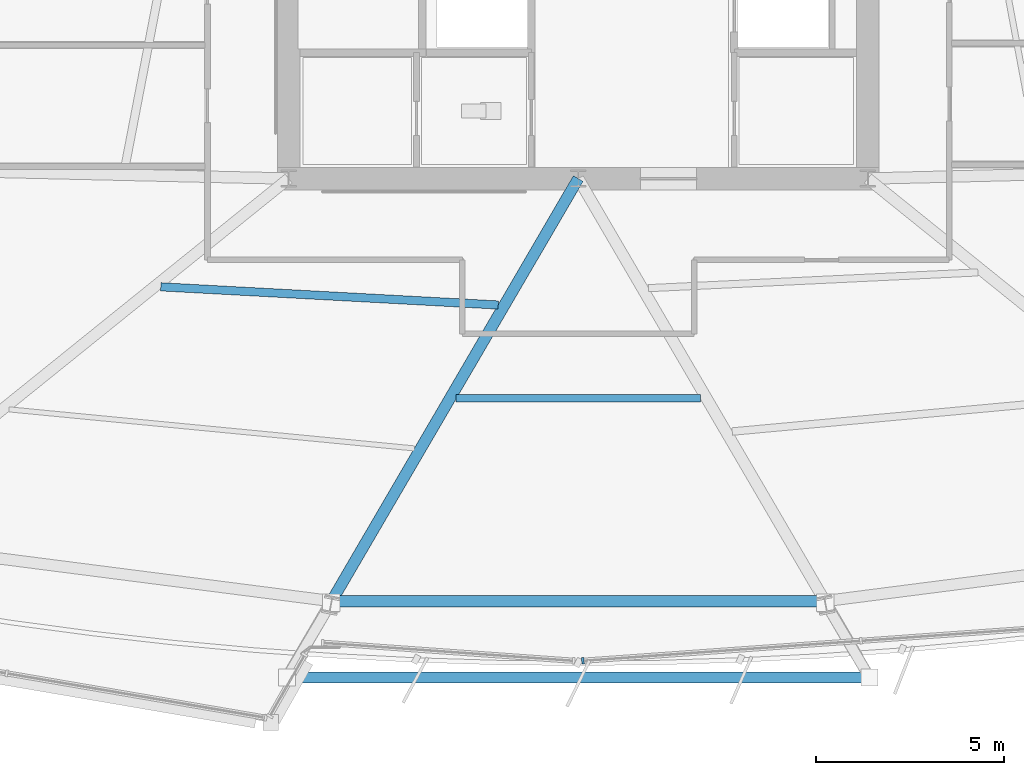
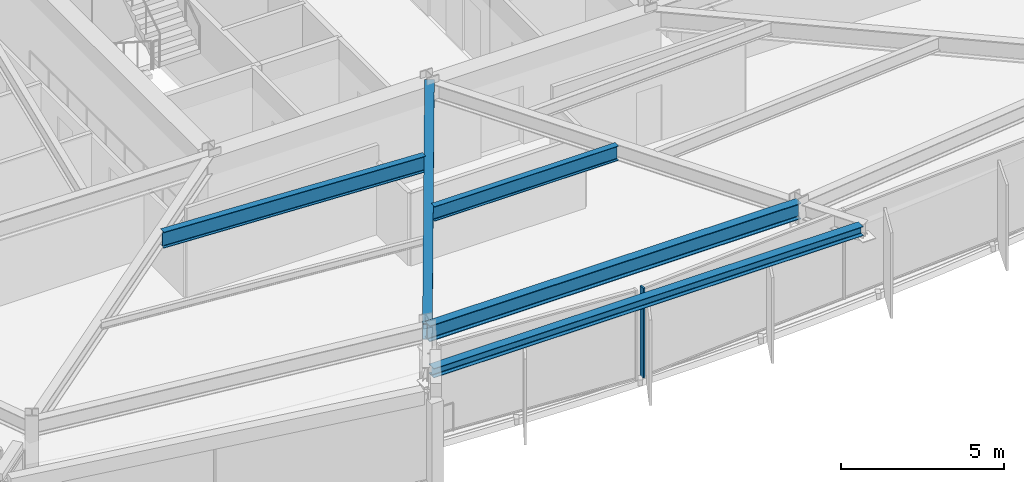
# One storey, part 3 of 17: 5 beams, 1 member, 1 element without a shape of its own.
"""IFC4 building model written with IfcOpenShell, lengths in metres."""

from ifc_helpers import new_model, si_unit, direction, frame, origin, origin_2d, place, context, subcontext, project, spatial, rectangle, i_section, extrude, material, material_profile, profile_set, type_object, element, aggregate, save


model = new_model("IFC4")

# Units and contexts
model_context = context("Model", 3, precision=1e-05, world=origin(), true_north=direction((0.0, 1.0)))
body_context = subcontext(model_context, "Body", "Model", "MODEL_VIEW")
ifc_project = project(units=[si_unit("LENGTHUNIT", "METRE"), si_unit("AREAUNIT", "SQUARE_METRE"), si_unit("VOLUMEUNIT", "CUBIC_METRE"), si_unit("PLANEANGLEUNIT", "RADIAN"), si_unit("MASSUNIT", "GRAM", prefix="KILO")], contexts=[model_context])

# Site, building, storey
site_placement = place(None, origin())
site = spatial("IfcSite", under=ifc_project, at=site_placement, CompositionType="ELEMENT")
building_placement = place(site_placement, origin())
building = spatial("IfcBuilding", under=site, at=building_placement, Name="Savorim Split Tower", CompositionType="ELEMENT")
storey_placement = place(building_placement, frame((0.0, 0.0, 62.39990234375)))
storey = spatial("IfcBuildingStorey", under=building, at=storey_placement, Name="L16", CompositionType="ELEMENT", Elevation=62.39990234375)

# Beams
ifc_material_1 = material(Name="Steel S355", Category="steel")
ifc_material_profile_1 = material_profile(ifc_material_1, i_section(OverallWidth=0.2099609375, OverallDepth=0.550048828125, WebThickness=0.010986328125, FlangeThickness=0.01708984375, FilletRadius=0.02392578125, at=origin_2d()), Name="IPE 550")
ifc_profile_set_1 = profile_set([ifc_material_profile_1], Name="Steel S355")
beam_type_1 = type_object("IfcBeamType", Name="BM-JST-IPE550", PredefinedType="JOIST", material=ifc_profile_set_1)
beam_1_placement = place(storey_placement, frame((-3.250244140625, -15.2421875, 3.0751953125), z_axis=(1.0, 0.0, 0.0), x_axis=(0.0, 1.0, 0.0)))
element("IfcBeam", 1, at=beam_1_placement, inside=storey, type_object=beam_type_1, Name="L16 Secondary Floor Joist JS-03", PredefinedType="JOIST", context=body_context, shape_type="SweptSolid", body=[
    extrude(i_section(OverallWidth=0.2099609375, OverallDepth=0.550048828125, WebThickness=0.010986328125, FlangeThickness=0.01708984375, FilletRadius=0.02392578125, at=origin_2d()), origin(), (0.0, 0.0, 1.0), 6.50048828125),
])
ifc_material_profile_2 = material_profile(ifc_material_1, i_section(OverallWidth=0.219970703125, OverallDepth=0.60009765625, WebThickness=0.011962890625, FlangeThickness=0.01904296875, FilletRadius=0.02392578125, at=origin_2d()), Name="IPE 600")
ifc_profile_set_2 = profile_set([ifc_material_profile_2], Name="Steel S355")
beam_type_2 = type_object("IfcBeamType", Name="BM-JST-IPE600", PredefinedType="JOIST", material=ifc_profile_set_2)
beam_2_placement = place(storey_placement, frame((-11.1005859375, -12.278076171875, 3.050048828125), z_axis=(0.998549230029, -0.053846403861, 0.0), x_axis=(0.053846403861, 0.998549230029, 0.0)))
element("IfcBeam", 2, at=beam_2_placement, inside=storey, type_object=beam_type_2, Name="L16 Secondary Floor Joist JS-02", PredefinedType="JOIST", context=body_context, shape_type="SweptSolid", body=[
    extrude(i_section(OverallWidth=0.219970703125, OverallDepth=0.60009765625, WebThickness=0.011962890625, FlangeThickness=0.01904296875, FilletRadius=0.02392578125, at=origin_2d()), origin(), (0.0, 0.0, 1.0), 8.986328125),
])
ifc_material_profile_3 = material_profile(ifc_material_1, i_section(OverallWidth=0.300048828125, OverallDepth=0.60009765625, WebThickness=0.015380859375, FlangeThickness=0.030029296875, FilletRadius=0.027099609375, at=origin_2d()), Name="HEB 600")
ifc_profile_set_3 = profile_set([ifc_material_profile_3], Name="Steel S355")
beam_type_3 = type_object("IfcBeamType", Name="BM-PRI-HEB600", PredefinedType="BEAM", material=ifc_profile_set_3)
beam_3_placement = place(storey_placement, frame((-6.55810546875, -20.63525390625, 3.050048828125), z_axis=(0.504109041078, 0.863640014534, 0.0), x_axis=(-0.863640014534, 0.504109041078, 0.0)))
element("IfcBeam", 3, at=beam_3_placement, inside=storey, type_object=beam_type_3, Name="L16 Primary Floor Girder RG-02", PredefinedType="BEAM", context=body_context, shape_type="SweptSolid", body=[
    extrude(i_section(OverallWidth=0.300048828125, OverallDepth=0.60009765625, WebThickness=0.015380859375, FlangeThickness=0.030029296875, FilletRadius=0.027099609375, at=origin_2d()), origin(), (0.0, 0.0, 1.0), 13.00927734375),
])
ifc_material_profile_4 = material_profile(ifc_material_1, i_section(OverallWidth=0.300048828125, OverallDepth=0.35009765625, WebThickness=0.010009765625, FlangeThickness=0.017578125, FilletRadius=0.027099609375, at=origin_2d()), Name="HEA 360")
ifc_profile_set_4 = profile_set([ifc_material_profile_4], Name="Steel S355")
beam_type_4 = type_object("IfcBeamType", Name="BM-SPN-HEA360", PredefinedType="SPANDREL", material=ifc_profile_set_4)
beam_4_placement = place(storey_placement, frame((-7.582763671875, -22.664794921875, 3.175048828125), z_axis=(1.0, 0.0, 0.0), x_axis=(0.0, 1.0, 0.0)))
element("IfcBeam", 4, at=beam_4_placement, inside=storey, type_object=beam_type_4, Name="L16 Cantilevered Lounge Front Edge Beam", PredefinedType="SPANDREL", context=body_context, shape_type="SweptSolid", body=[
    extrude(i_section(OverallWidth=0.300048828125, OverallDepth=0.35009765625, WebThickness=0.010009765625, FlangeThickness=0.017578125, FilletRadius=0.027099609375, at=origin_2d()), origin(), (0.0, 0.0, 1.0), 15.16552734375),
])
ifc_material_profile_5 = material_profile(ifc_material_1, i_section(OverallWidth=0.300048828125, OverallDepth=0.590087890625, WebThickness=0.012939453125, FlangeThickness=0.02490234375, FilletRadius=0.027099609375, at=origin_2d()), Name="HEA 600")
ifc_profile_set_5 = profile_set([ifc_material_profile_5], Name="Steel S355")
beam_type_5 = type_object("IfcBeamType", Name="BM-SPN-HEA600", PredefinedType="SPANDREL", material=ifc_profile_set_5)
beam_5_placement = place(storey_placement, frame((-6.55810546875, -20.63525390625, 3.05517578125), z_axis=(1.0, 0.0, 0.0), x_axis=(0.0, 1.0, 0.0)))
element("IfcBeam", 5, at=beam_5_placement, inside=storey, type_object=beam_type_5, Name="L16 Perimeter Spandrel Beam 2", PredefinedType="SPANDREL", context=body_context, shape_type="SweptSolid", body=[
    extrude(i_section(OverallWidth=0.300048828125, OverallDepth=0.590087890625, WebThickness=0.012939453125, FlangeThickness=0.02490234375, FilletRadius=0.027099609375, at=origin_2d()), origin(), (0.0, 0.0, 1.0), 13.1162109375),
])

# Curtain wall, member
ifc_material_2 = material(Name="Dark Ceramic-Fritted Insulated Glass", Category="glass")
curtain_wall_type = type_object("IfcCurtainWallType", Name="CW-TWR-FRIT-A", PredefinedType="NOTDEFINED", material=ifc_material_2)
curtain_wall_placement = place(storey_placement, origin())
curtain_wall = element("IfcCurtainWall", 6, at=curtain_wall_placement, inside=storey, type_object=curtain_wall_type, Name="L16 Curtain Wall CW-L16-SF3A", PredefinedType="NOTDEFINED")
ifc_material_3 = material(Name="Charcoal Anodised Aluminium", Category="aluminium")
ifc_material_profile_6 = material_profile(ifc_material_3, rectangle(XDim=0.179931640625, YDim=0.06494140625, at=origin_2d()), Name="ALU-M 180x65")
ifc_profile_set_6 = profile_set([ifc_material_profile_6], Name="Charcoal Anodised Aluminium")
member_type = type_object("IfcMemberType", Name="CWM-180x65", PredefinedType="MULLION", material=ifc_profile_set_6)
member_placement = place(storey_placement, frame((0.12353515625, -22.22119140625, 0.0), z_axis=(0.0, 0.0, 1.0), x_axis=(-0.071558708634, 0.99743638956, 0.0)))
member = element("IfcMember", 7, at=member_placement, type_object=member_type, Name="CW-02 mullion 1", PredefinedType="MULLION", context=body_context, shape_type="SweptSolid", body=[
    extrude(rectangle(XDim=0.179931640625, YDim=0.06494140625, at=origin_2d()), origin(), (0.0, 0.0, 1.0), 3.35009765625),
])
aggregate(curtain_wall, [member])

save(model, "model.ifc")
